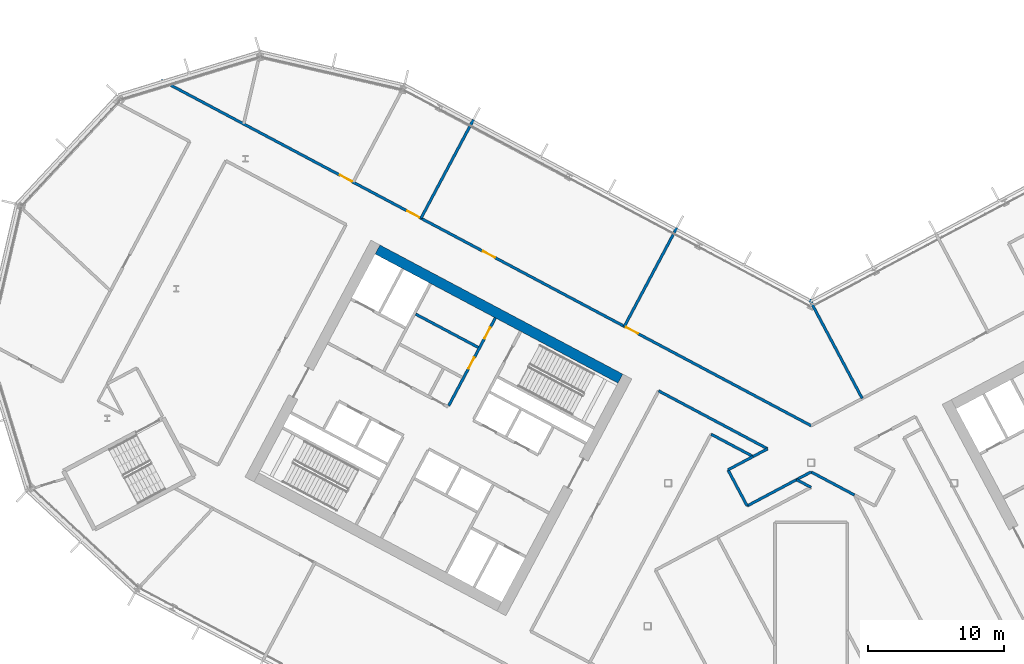
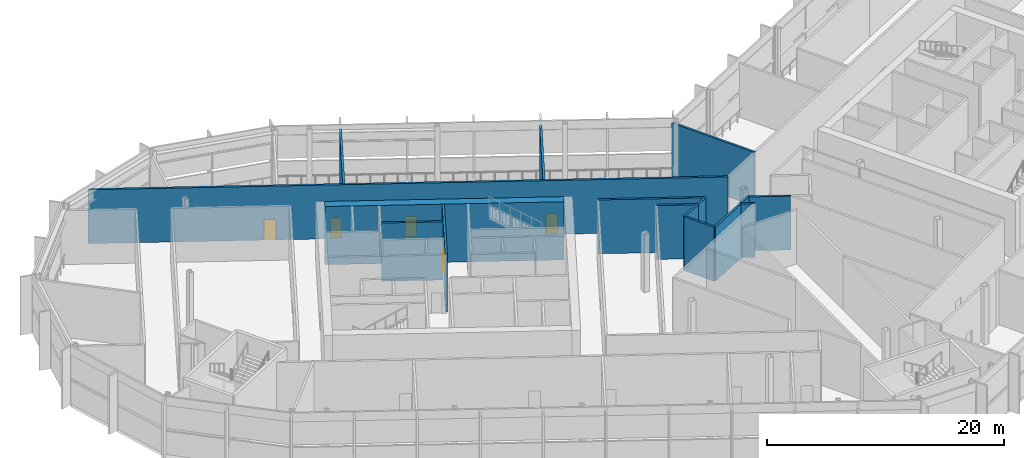
# One storey, part 15 of 33: 16 walls, 6 doors, 6 openings.
"""IFC4 building model written with IfcOpenShell, lengths in metres."""

from ifc_helpers import new_model, si_unit, direction, frame, frame_2d, origin, place, context, subcontext, project, spatial, rectangle, extrude, material, layer, layer_set, type_object, element, fill, save


model = new_model("IFC4")

# Units and contexts
model_context = context("Model", 3, precision=1e-05, world=origin(), true_north=direction((0.0, 1.0)))
body_context = subcontext(model_context, "Body", "Model", "MODEL_VIEW")
ifc_project = project(units=[si_unit("LENGTHUNIT", "METRE"), si_unit("AREAUNIT", "SQUARE_METRE"), si_unit("VOLUMEUNIT", "CUBIC_METRE"), si_unit("PLANEANGLEUNIT", "RADIAN"), si_unit("MASSUNIT", "GRAM", prefix="KILO")], contexts=[model_context])

# Site, building, storey
site_placement = place(None, origin())
site = spatial("IfcSite", under=ifc_project, at=site_placement, CompositionType="ELEMENT")
building_placement = place(site_placement, origin())
building = spatial("IfcBuilding", under=site, at=building_placement, Name="Cormorant Relay Tower", CompositionType="ELEMENT")
storey_placement = place(building_placement, frame((0.0, 0.0, 183.60009765625)))
storey = spatial("IfcBuildingStorey", under=building, at=storey_placement, Name="L39", CompositionType="ELEMENT", Elevation=183.60009765625)

# Wall
ifc_material_1 = material(Name="Concrete 40 MPa", Category="concrete")
ifc_layer_1 = layer(ifc_material_1, 0.199951171875)
ifc_layer_set_1 = layer_set([ifc_layer_1], Name="Core internal wall 200")
wall_type_1 = type_object("IfcWallType", Name="Core internal wall 200", PredefinedType="SOLIDWALL", material=ifc_layer_set_1)
wall_1_placement = place(storey_placement, frame((-24.449462890625, 20.474853515625, 0.0), z_axis=(0.0, 0.0, 1.0), x_axis=(-0.882934506056, 0.469496174655, 0.0)))
element("IfcWall", 1, at=wall_1_placement, inside=storey, type_object=wall_type_1, Name="L39 core A shaft and room wall", PredefinedType="SOLIDWALL", context=body_context, shape_type="SweptSolid", body=[
    extrude(rectangle(XDim=5.199951171875, YDim=0.199951171875, at=frame_2d((2.60009765625, 0.0))), origin(), (0.0, 0.0, 1.0), 6.0),
])

# Wall, openings, doors
ifc_material_2 = material(Name="Concrete 50 MPa", Category="concrete")
ifc_layer_2 = layer(ifc_material_2, 0.199951171875)
ifc_layer_set_2 = layer_set([ifc_layer_2], Name="Core shaft wall 200")
wall_type_2 = type_object("IfcWallType", Name="Core shaft wall 200", PredefinedType="SHEAR", material=ifc_layer_set_2)
wall_2_placement = place(storey_placement, frame((-23.1875, 22.635498046875, 0.0), z_axis=(0.0, 0.0, 1.0), x_axis=(-0.469454336211, -0.882956752176, 0.0)))
wall_2 = element("IfcWall", 2, at=wall_2_placement, inside=storey, type_object=wall_type_2, Name="L39 core A shaft wall", PredefinedType="SHEAR", context=body_context, shape_type="SweptSolid", body=[
    extrude(rectangle(XDim=7.300048828125, YDim=0.199951171875, at=frame_2d((3.64990234375, 0.0))), origin(), (0.0, 0.0, 1.0), 6.0),
])
opening_1_placement = place(wall_2_placement, frame((0.800048828125, 0.0, 0.0)))
opening_1 = element("IfcOpeningElement", 3, at=opening_1_placement, cuts=wall_2, Name="Opening CDD-225", PredefinedType="OPENING", context=body_context, shape_type="SweptSolid", body=[
    extrude(rectangle(XDim=0.89990234375, YDim=2.10009765625, at=frame_2d((0.449951171875, 1.050048828125))), frame((0.0, 0.10986328125, 0.0), z_axis=(0.0, -1.0, 0.0), x_axis=(1.0, 0.0, 0.0)), (0.0, 0.0, 1.0), 0.219970703125),
])
opening_2_placement = place(wall_2_placement, frame((3.300048828125, 0.0, 0.0)))
opening_2 = element("IfcOpeningElement", 4, at=opening_2_placement, cuts=wall_2, Name="Opening CDD-226", PredefinedType="OPENING", context=body_context, shape_type="SweptSolid", body=[
    extrude(rectangle(XDim=0.89990234375, YDim=2.10009765625, at=frame_2d((0.449951171875, 1.050048828125))), frame((0.0, 0.10986328125, 0.0), z_axis=(0.0, -1.0, 0.0), x_axis=(1.0, 0.0, 0.0)), (0.0, 0.0, 1.0), 0.219970703125),
])
ifc_material_3 = material(Name="Steel fire door", Category="steel")
door_type_1 = type_object("IfcDoorType", Name="Core room door 900x2100", OperationType="SINGLE_SWING_LEFT", PredefinedType="DOOR", material=ifc_material_3)
door_1_placement = place(opening_1_placement, origin())
door_1 = element("IfcDoor", 5, at=door_1_placement, inside=storey, type_object=door_type_1, Name="Core room door 900x2100", OperationType="SINGLE_SWING_LEFT", OverallHeight=2.10009765625, OverallWidth=0.89990234375, PredefinedType="DOOR", context=body_context, shape_type="SweptSolid", body=[
    extrude(rectangle(XDim=0.89990234375, YDim=2.10009765625, at=frame_2d((0.449951171875, 1.050048828125))), frame((0.0, 0.02490234375, 0.0), z_axis=(0.0, -1.0, 0.0), x_axis=(1.0, 0.0, 0.0)), (0.0, 0.0, 1.0), 0.050048828125),
])
fill(opening_1, door_1)
door_2_placement = place(opening_2_placement, frame((0.89990234375, 0.0, 0.0), z_axis=(0.0, 0.0, 1.0), x_axis=(-1.0, 0.0, 0.0)))
door_2 = element("IfcDoor", 6, at=door_2_placement, inside=storey, type_object=door_type_1, Name="Core room door 900x2100", OperationType="SINGLE_SWING_RIGHT", OverallHeight=2.10009765625, OverallWidth=0.89990234375, PredefinedType="DOOR", context=body_context, shape_type="SweptSolid", body=[
    extrude(rectangle(XDim=0.89990234375, YDim=2.10009765625, at=frame_2d((0.449951171875, 1.050048828125))), frame((0.0, 0.02490234375, 0.0), z_axis=(0.0, -1.0, 0.0), x_axis=(1.0, 0.0, 0.0)), (0.0, 0.0, 1.0), 0.050048828125),
])
fill(opening_2, door_2)

# Wall
ifc_material_4 = material(Name="Concrete 60 MPa", Category="concrete")
ifc_layer_3 = layer(ifc_material_4, 0.75)
ifc_layer_set_3 = layer_set([ifc_layer_3], Name="Core wall 750")
wall_type_3 = type_object("IfcWallType", Name="Core wall 750", PredefinedType="SHEAR", material=ifc_layer_set_3)
wall_3_placement = place(storey_placement, frame((-14.00537109375, 18.177978515625, 0.0), z_axis=(0.0, 0.0, 1.0), x_axis=(-0.88295010195, 0.469466843842, 0.0)))
element("IfcWall", 7, at=wall_3_placement, inside=storey, type_object=wall_type_3, Name="L39 core A wall", PredefinedType="SHEAR", context=body_context, shape_type="SweptSolid", body=[
    extrude(rectangle(XDim=20.199951171875, YDim=0.75, at=frame_2d((10.10009765625, 0.0))), origin(), (0.0, 0.0, 1.0), 6.0),
])

# Wall, openings, doors
ifc_material_5 = material(Name="Fire-rated gypsum board partition")
ifc_layer_4 = layer(ifc_material_5, 0.199951171875)
ifc_layer_set_4 = layer_set([ifc_layer_4], Name="Fire-rated gypsum partition 200")
wall_type_4 = type_object("IfcWallType", Name="Fire-rated gypsum partition 200", PredefinedType="PARTITIONING", material=ifc_layer_set_4)
wall_4_placement = place(storey_placement, frame((-47.72998046875, 40.10205078125, 0.0), z_axis=(0.0, 0.0, 1.0), x_axis=(0.882942458257, -0.469481219441, 0.0)))
wall_4 = element("IfcWall", 8, at=wall_4_placement, inside=storey, type_object=wall_type_4, Name="wall/L39/part/14", PredefinedType="PARTITIONING", context=body_context, shape_type="SweptSolid", body=[
    extrude(rectangle(XDim=54.057861328125, YDim=0.199951171875, at=frame_2d((27.02880859375, 0.0))), origin(), (0.0, 0.0, 1.0), 5.5498046875),
])
opening_3_placement = place(wall_4_placement, frame((38.6650390625, 0.0, 0.0)))
opening_3 = element("IfcOpeningElement", 9, at=opening_3_placement, cuts=wall_4, Name="Opening FD1-165", PredefinedType="OPENING", context=body_context, shape_type="SweptSolid", body=[
    extrude(rectangle(XDim=1.0, YDim=2.10009765625, at=frame_2d((0.5, 1.050048828125))), frame((0.0, 0.10986328125, 0.0), z_axis=(0.0, -1.0, 0.0), x_axis=(1.0, 0.0, 0.0)), (0.0, 0.0, 1.0), 0.219970703125),
])
opening_4_placement = place(wall_4_placement, frame((26.76611328125, 0.0, 0.0)))
opening_4 = element("IfcOpeningElement", 10, at=opening_4_placement, cuts=wall_4, Name="Opening FD1-166", PredefinedType="OPENING", context=body_context, shape_type="SweptSolid", body=[
    extrude(rectangle(XDim=1.0, YDim=2.10009765625, at=frame_2d((0.5, 1.050048828125))), frame((0.0, 0.10986328125, 0.0), z_axis=(0.0, -1.0, 0.0), x_axis=(1.0, 0.0, 0.0)), (0.0, 0.0, 1.0), 0.219970703125),
])
opening_5_placement = place(wall_4_placement, frame((20.465087890625, 0.0, 0.0)))
opening_5 = element("IfcOpeningElement", 11, at=opening_5_placement, cuts=wall_4, Name="Opening FD1-167", PredefinedType="OPENING", context=body_context, shape_type="SweptSolid", body=[
    extrude(rectangle(XDim=1.0, YDim=2.10009765625, at=frame_2d((0.5, 1.050048828125))), frame((0.0, 0.10986328125, 0.0), z_axis=(0.0, -1.0, 0.0), x_axis=(1.0, 0.0, 0.0)), (0.0, 0.0, 1.0), 0.219970703125),
])
opening_6_placement = place(wall_4_placement, frame((14.865966796875, 0.0, 0.0)))
opening_6 = element("IfcOpeningElement", 12, at=opening_6_placement, cuts=wall_4, Name="Opening FD1-168", PredefinedType="OPENING", context=body_context, shape_type="SweptSolid", body=[
    extrude(rectangle(XDim=1.0, YDim=2.10009765625, at=frame_2d((0.5, 1.050048828125))), frame((0.0, 0.10986328125, 0.0), z_axis=(0.0, -1.0, 0.0), x_axis=(1.0, 0.0, 0.0)), (0.0, 0.0, 1.0), 0.219970703125),
])
ifc_material_6 = material(Name="Fire-rated steel door", Category="steel")
door_type_2 = type_object("IfcDoorType", Name="Fire door 1000 x 2100", OperationType="SINGLE_SWING_LEFT", PredefinedType="DOOR", material=ifc_material_6)
door_3_placement = place(opening_3_placement, origin())
door_3 = element("IfcDoor", 13, at=door_3_placement, inside=storey, type_object=door_type_2, Name="door/L39/24", OperationType="SINGLE_SWING_LEFT", OverallHeight=2.10009765625, OverallWidth=1.0, PredefinedType="DOOR", context=body_context, shape_type="SweptSolid", body=[
    extrude(rectangle(XDim=1.0, YDim=2.10009765625, at=frame_2d((0.5, 1.050048828125))), frame((0.0, 0.02490234375, 0.0), z_axis=(0.0, -1.0, 0.0), x_axis=(1.0, 0.0, 0.0)), (0.0, 0.0, 1.0), 0.050048828125),
])
fill(opening_3, door_3)
door_4_placement = place(opening_4_placement, origin())
door_4 = element("IfcDoor", 14, at=door_4_placement, inside=storey, type_object=door_type_2, Name="door/L39/25", OperationType="SINGLE_SWING_RIGHT", OverallHeight=2.10009765625, OverallWidth=1.0, PredefinedType="DOOR", context=body_context, shape_type="SweptSolid", body=[
    extrude(rectangle(XDim=1.0, YDim=2.10009765625, at=frame_2d((0.5, 1.050048828125))), frame((0.0, 0.02490234375, 0.0), z_axis=(0.0, -1.0, 0.0), x_axis=(1.0, 0.0, 0.0)), (0.0, 0.0, 1.0), 0.050048828125),
])
fill(opening_4, door_4)
door_5_placement = place(opening_5_placement, origin())
door_5 = element("IfcDoor", 15, at=door_5_placement, inside=storey, type_object=door_type_2, Name="door/L39/26", OperationType="SINGLE_SWING_RIGHT", OverallHeight=2.10009765625, OverallWidth=1.0, PredefinedType="DOOR", context=body_context, shape_type="SweptSolid", body=[
    extrude(rectangle(XDim=1.0, YDim=2.10009765625, at=frame_2d((0.5, 1.050048828125))), frame((0.0, 0.02490234375, 0.0), z_axis=(0.0, -1.0, 0.0), x_axis=(1.0, 0.0, 0.0)), (0.0, 0.0, 1.0), 0.050048828125),
])
fill(opening_5, door_5)
door_6_placement = place(opening_6_placement, origin())
door_6 = element("IfcDoor", 16, at=door_6_placement, inside=storey, type_object=door_type_2, Name="door/L39/27", OperationType="SINGLE_SWING_RIGHT", OverallHeight=2.10009765625, OverallWidth=1.0, PredefinedType="DOOR", context=body_context, shape_type="SweptSolid", body=[
    extrude(rectangle(XDim=1.0, YDim=2.10009765625, at=frame_2d((0.5, 1.050048828125))), frame((0.0, 0.02490234375, 0.0), z_axis=(0.0, -1.0, 0.0), x_axis=(1.0, 0.0, 0.0)), (0.0, 0.0, 1.0), 0.050048828125),
])
fill(opening_6, door_6)

# Walls
for number, where, z_axis, x_axis, name in (
    (17, (-24.800048828125, 37.197021484375, 0.0), (0.0, 0.0, 1.0), (-0.469498413518, -0.882933315548, 0.0), "wall/L39/part/20"),
    (18, (-9.864013671875, 29.2548828125, 0.0), (0.0, 0.0, 1.0), (-0.4695216236, -0.882920973231, 0.0), "wall/L39/part/22"),
):
    element("IfcWall", number, at=place(storey_placement, frame(where, z_axis=z_axis, x_axis=x_axis)), inside=storey, type_object=wall_type_4, Name=name, PredefinedType="PARTITIONING", context=body_context, shape_type="SweptSolid", body=[
        extrude(rectangle(XDim=8.199951171875, YDim=0.199951171875, at=frame_2d((4.10009765625, 0.0))), origin(), (0.0, 0.0, 1.0), 5.5498046875),
    ])
wall_5_placement = place(storey_placement, frame((-7.342041015625, 14.096923828125, 0.0), z_axis=(0.0, 0.0, 1.0), x_axis=(0.883005616924, -0.469362419118, 0.0)))
element("IfcWall", 19, at=wall_5_placement, inside=storey, type_object=wall_type_4, Name="wall/L39/part/25", PredefinedType="PARTITIONING", context=body_context, shape_type="SweptSolid", body=[
    extrude(rectangle(XDim=3.474609375, YDim=0.199951171875, at=frame_2d((1.7373046875, 0.0))), origin(), (0.0, 0.0, 1.0), 5.5498046875),
])
wall_6_placement = place(storey_placement, frame((-11.197998046875, 17.280029296875, 0.0), z_axis=(0.0, 0.0, 1.0), x_axis=(0.882952451638, -0.469462424637, 0.0)))
element("IfcWall", 20, at=wall_6_placement, inside=storey, type_object=wall_type_4, Name="wall/L39/part/28", PredefinedType="PARTITIONING", context=body_context, shape_type="SweptSolid", body=[
    extrude(rectangle(XDim=9.063720703125, YDim=0.199951171875, at=frame_2d((4.53173828125, 0.0))), origin(), (0.0, 0.0, 1.0), 5.5498046875),
])
wall_7_placement = place(storey_placement, frame((-0.10791015625, 23.986083984375, 0.0), z_axis=(0.0, 0.0, 1.0), x_axis=(0.469523920224, -0.882919751924, 0.0)))
element("IfcWall", 21, at=wall_7_placement, inside=storey, type_object=wall_type_4, Name="wall/L39/part/32", PredefinedType="PARTITIONING", context=body_context, shape_type="SweptSolid", body=[
    extrude(rectangle(XDim=8.229736328125, YDim=0.199951171875, at=frame_2d((4.11474609375, 0.0))), origin(), (0.0, 0.0, 1.0), 5.5498046875),
])
wall_8_placement = place(storey_placement, frame((-1.06298828125, 10.758056640625, 0.0), z_axis=(0.0, 0.0, 1.0), x_axis=(0.883036930651, -0.469303504255, 0.0)))
element("IfcWall", 22, at=wall_8_placement, inside=storey, type_object=wall_type_4, Name="wall/L39/part/35", PredefinedType="PARTITIONING", context=body_context, shape_type="SweptSolid", body=[
    extrude(rectangle(XDim=1.203857421875, YDim=0.199951171875, at=frame_2d((0.60205078125, 0.0))), origin(), (0.0, 0.0, 1.0), 5.5498046875),
])
wall_9_placement = place(storey_placement, frame((-4.264892578125, 12.4560546875, 0.0), z_axis=(0.0, 0.0, 1.0), x_axis=(0.882943477621, 0.469479302341, 0.0)))
element("IfcWall", 23, at=wall_9_placement, inside=storey, type_object=wall_type_4, Name="wall/L39/part/39", PredefinedType="PARTITIONING", context=body_context, shape_type="SweptSolid", body=[
    extrude(rectangle(XDim=1.211669921875, YDim=0.199951171875, at=frame_2d((0.60595703125, 0.0))), origin(), (0.0, 0.0, 1.0), 5.5498046875),
])
wall_10_placement = place(storey_placement, frame((-1.074951171875, 10.75390625, 0.0), z_axis=(0.0, 0.0, 1.0), x_axis=(-0.88295221972, -0.469462860822, 0.0)))
element("IfcWall", 24, at=wall_10_placement, inside=storey, type_object=wall_type_4, Name="wall/L39/part/41", PredefinedType="PARTITIONING", context=body_context, shape_type="SweptSolid", body=[
    extrude(rectangle(XDim=4.10009765625, YDim=0.199951171875, at=frame_2d((2.050048828125, 0.0))), origin(), (0.0, 0.0, 1.0), 5.5498046875),
])
wall_11_placement = place(storey_placement, frame((-4.695068359375, 8.8291015625, 0.0), z_axis=(0.0, 0.0, 1.0), x_axis=(-0.469341661158, 0.883016650523, 0.0)))
element("IfcWall", 25, at=wall_11_placement, inside=storey, type_object=wall_type_4, Name="wall/L39/part/42", PredefinedType="PARTITIONING", context=body_context, shape_type="SweptSolid", body=[
    extrude(rectangle(XDim=2.999755859375, YDim=0.199951171875, at=frame_2d((1.5, 0.0))), origin(), (0.0, 0.0, 1.0), 5.5498046875),
])
wall_12_placement = place(storey_placement, frame((-6.10302734375, 11.47802734375, 0.0), z_axis=(0.0, 0.0, 1.0), x_axis=(0.882813423711, 0.469723811314, 0.0)))
element("IfcWall", 26, at=wall_12_placement, inside=storey, type_object=wall_type_4, Name="wall/L39/part/43", PredefinedType="PARTITIONING", context=body_context, shape_type="SweptSolid", body=[
    extrude(rectangle(XDim=2.08203125, YDim=0.199951171875, at=frame_2d((1.041015625, 0.0))), origin(), (0.0, 0.0, 1.0), 5.5498046875),
])
wall_13_placement = place(storey_placement, frame((3.18603515625, 9.632080078125, 0.0), z_axis=(0.0, 0.0, 1.0), x_axis=(-0.882970255793, 0.469428937524, 0.0)))
element("IfcWall", 27, at=wall_13_placement, inside=storey, type_object=wall_type_4, Name="wall/L39/part/49", PredefinedType="PARTITIONING", context=body_context, shape_type="SweptSolid", body=[
    extrude(rectangle(XDim=3.6083984375, YDim=0.199951171875, at=frame_2d((1.80419921875, 0.0))), origin(), (0.0, 0.0, 1.0), 5.5498046875),
])
wall_14_placement = place(storey_placement, frame((0.0, 11.325927734375, 0.0), z_axis=(0.0, 0.0, 1.0), x_axis=(-0.882791016648, -0.469765921418, 0.0)))
element("IfcWall", 28, at=wall_14_placement, inside=storey, type_object=wall_type_4, Name="wall/L39/part/50", PredefinedType="PARTITIONING", context=body_context, shape_type="SweptSolid", body=[
    extrude(rectangle(XDim=1.2177734375, YDim=0.199951171875, at=frame_2d((0.60888671875, 0.0))), origin(), (0.0, 0.0, 1.0), 5.5498046875),
])

save(model, "model.ifc")
